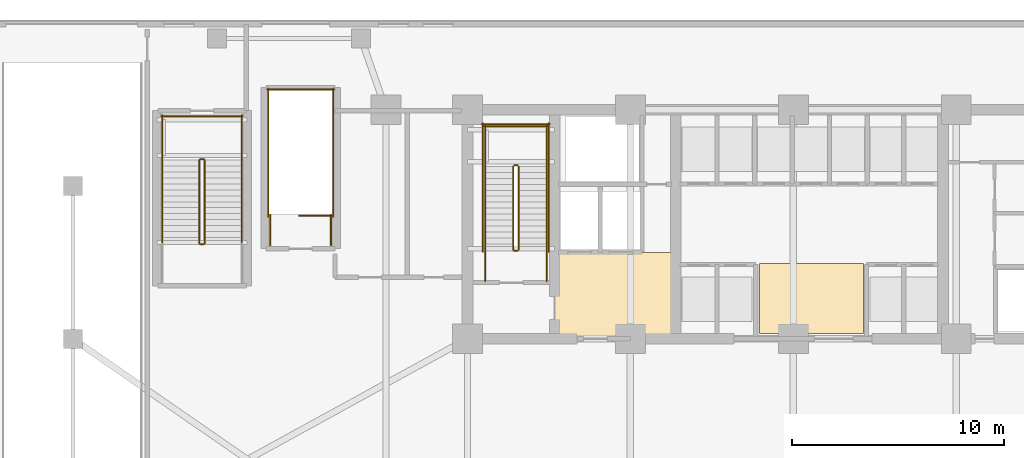
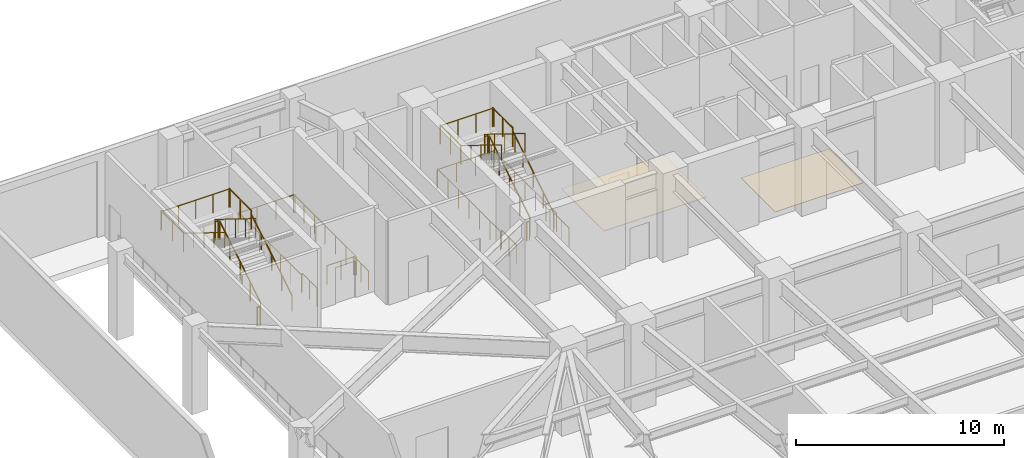
# One storey, part 9 of 15: 29 railings, 2 coverings.
"""IFC4 building model written with IfcOpenShell, lengths in metres."""

from ifc_helpers import new_model, si_unit, direction, frame, origin, origin_2d, place, context, subcontext, project, spatial, polyline, circle, outline, extrude, material, layer, layer_set, type_object, element, save


model = new_model("IFC4")

# Units and contexts
model_context = context("Model", 3, precision=1e-05, world=origin(), true_north=direction((0.0, 1.0)))
body_context = subcontext(model_context, "Body", "Model", "MODEL_VIEW")
ifc_project = project(units=[si_unit("LENGTHUNIT", "METRE"), si_unit("AREAUNIT", "SQUARE_METRE"), si_unit("VOLUMEUNIT", "CUBIC_METRE"), si_unit("PLANEANGLEUNIT", "RADIAN"), si_unit("MASSUNIT", "GRAM", prefix="KILO")], contexts=[model_context])

# Site, building, storey
site_placement = place(None, origin())
site = spatial("IfcSite", under=ifc_project, at=site_placement, CompositionType="ELEMENT")
building_placement = place(site_placement, origin())
building = spatial("IfcBuilding", under=site, at=building_placement, Name="Yelkora Congress Tower", CompositionType="ELEMENT")
storey_placement = place(building_placement, origin())
storey = spatial("IfcBuildingStorey", under=building, at=storey_placement, Name="L00", CompositionType="ELEMENT", Elevation=0.0)

# Coverings
ifc_material_1 = material(Name="Perforated mineral-fibre acoustic ceiling", Category="gypsum")
ifc_layer_1 = layer(ifc_material_1, 0.0400390625)
ifc_layer_set_1 = layer_set([ifc_layer_1], Name="Perforated mineral-fibre acoustic ceiling")
covering_type_1 = type_object("IfcCoveringType", Name="COV-CEIL-ACOUSTIC-40", PredefinedType="CEILING", material=ifc_layer_set_1)
covering_1_placement = place(storey_placement, frame((0.0, 0.0, 2.39990234375)))
element("IfcCovering", 1, at=covering_1_placement, inside=storey, type_object=covering_type_1, Name="L00 Firefighting Lobby Acoustic Ceiling", PredefinedType="CEILING", context=body_context, shape_type="SweptSolid", body=[
    extrude(outline(polyline([(27.14990234375, 35.39990234375), (32.85009765625, 35.39990234375), (32.85009765625, 39.47998046875), (27.14990234375, 39.47998046875), (27.14990234375, 35.39990234375)])), origin(), (0.0, 0.0, 1.0), 0.0400390625),
])
ifc_material_2 = material(Name="Polished Anatolian grey granite tile", Category="masonry")
ifc_layer_2 = layer(ifc_material_2, 0.02001953125)
ifc_layer_set_2 = layer_set([ifc_layer_2], Name="Polished Anatolian grey granite tile")
covering_type_2 = type_object("IfcCoveringType", Name="COV-FLOOR-GRANITE-20", PredefinedType="FLOORING", material=ifc_layer_set_2)
covering_2_placement = place(storey_placement, origin())
element("IfcCovering", 2, at=covering_2_placement, inside=storey, type_object=covering_type_2, Name="L00 Lift Lobby Granite Flooring", PredefinedType="FLOORING", context=body_context, shape_type="SweptSolid", body=[
    extrude(outline(polyline([(36.800048828125, 35.64990234375), (41.699951171875, 35.64990234375), (41.699951171875, 38.949951171875), (36.800048828125, 38.949951171875), (36.800048828125, 35.64990234375)])), origin(), (0.0, 0.0, 1.0), 0.02001953125),
])

# Railings
ifc_material_3 = material(Name="Painted galvanised steel stair well guard with vertical infill", Category="steel")
ifc_layer_3 = layer(ifc_material_3, 0.06005859375)
ifc_layer_set_3 = layer_set([ifc_layer_3], Name="Painted galvanised steel stair well guard with vertical infill")
railing_type_1 = type_object("IfcRailingType", Name="RAIL-STAIR-GUARD-1120", PredefinedType="GUARDRAIL", material=ifc_layer_set_3)
railing_1_placement = place(storey_placement, frame((25.449951171875, 39.60009765625, 0.17333984375)))
element("IfcRailing", 3, at=railing_1_placement, inside=storey, type_object=railing_type_1, Name="ST-01 L00 Stair Well Guardrail 1", PredefinedType="GUARDRAIL", context=body_context, shape_type="SweptSolid", body=[
    extrude(circle(Radius=0.02392578125, at=origin_2d()), frame((0.0, 0.0, 1.09619140625), z_axis=(0.0, 0.850251603719, 0.526376491091), x_axis=(-1.0, 0.0, 0.0)), (0.0, 0.0, 1.0), 4.6103515625),
    extrude(circle(Radius=0.02099609375, at=origin_2d()), origin(), (0.0, 0.0, 1.0), 1.072021484375),
    extrude(circle(Radius=0.02099609375, at=origin_2d()), frame((0.0, 0.97998046875, 0.606689453125)), (0.0, 0.0, 1.0), 1.072021484375),
    extrude(circle(Radius=0.02099609375, at=origin_2d()), frame((0.0, 1.9599609375, 1.21337890625)), (0.0, 0.0, 1.0), 1.072021484375),
    extrude(circle(Radius=0.02099609375, at=origin_2d()), frame((0.0, 2.93994140625, 1.820068359375)), (0.0, 0.0, 1.0), 1.072021484375),
    extrude(circle(Radius=0.02099609375, at=origin_2d()), frame((0.0, 3.919921875, 2.4267578125)), (0.0, 0.0, 1.0), 1.072021484375),
])
railing_2_placement = place(storey_placement, frame((25.39990234375, 43.570068359375, 2.60009765625)))
element("IfcRailing", 4, at=railing_2_placement, inside=storey, type_object=railing_type_1, Name="ST-01 L00 Stair Well Guardrail 2", PredefinedType="GUARDRAIL", context=body_context, shape_type="SweptSolid", body=[
    extrude(circle(Radius=0.02392578125, at=origin_2d()), frame((0.0, 0.0, 1.09619140625), z_axis=(-1.0, 0.0, 0.0), x_axis=(0.0, -1.0, 0.0)), (0.0, 0.0, 1.0), 0.159912109375),
    extrude(circle(Radius=0.02099609375, at=origin_2d()), origin(), (0.0, 0.0, 1.0), 1.072021484375),
    extrude(circle(Radius=0.02099609375, at=origin_2d()), frame((-0.159912109375, 0.0, 0.0)), (0.0, 0.0, 1.0), 1.072021484375),
])
for number, where, name in (
    (5, (26.77001953125, 43.52001953125, 2.60009765625), "ST-01 L00 Stair Well Guardrail 3"),
    (6, (23.8701171875, 43.52001953125, 2.60009765625), "ST-01 L00 Stair Well Guardrail 4"),
):
    element("IfcRailing", number, at=place(storey_placement, frame(where)), inside=storey, type_object=railing_type_1, Name=name, PredefinedType="GUARDRAIL", context=body_context, shape_type="SweptSolid", body=[
        extrude(circle(Radius=0.02392578125, at=origin_2d()), frame((0.0, 0.0, 1.09619140625), z_axis=(0.0, 1.0, 0.0), x_axis=(-1.0, 0.0, 0.0)), (0.0, 0.0, 1.0), 1.949951171875),
        extrude(circle(Radius=0.02099609375, at=origin_2d()), origin(), (0.0, 0.0, 1.0), 1.072021484375),
        extrude(circle(Radius=0.02099609375, at=origin_2d()), frame((0.0, 0.97509765625, 0.0)), (0.0, 0.0, 1.0), 1.072021484375),
        extrude(circle(Radius=0.02099609375, at=origin_2d()), frame((0.0, 1.949951171875, 0.0)), (0.0, 0.0, 1.0), 1.072021484375),
    ])
railing_3_placement = place(storey_placement, frame((26.820068359375, 45.419921875, 2.60009765625)))
element("IfcRailing", 7, at=railing_3_placement, inside=storey, type_object=railing_type_1, Name="ST-01 L00 Stair Well Guardrail 5", PredefinedType="GUARDRAIL", context=body_context, shape_type="SweptSolid", body=[
    extrude(circle(Radius=0.02392578125, at=origin_2d()), frame((0.0, 0.0, 1.09619140625), z_axis=(-1.0, 0.0, 0.0), x_axis=(0.0, -1.0, 0.0)), (0.0, 0.0, 1.0), 3.0),
    extrude(circle(Radius=0.02099609375, at=origin_2d()), origin(), (0.0, 0.0, 1.0), 1.072021484375),
    extrude(circle(Radius=0.02099609375, at=origin_2d()), frame((-1.0, 0.0, 0.0)), (0.0, 0.0, 1.0), 1.072021484375),
    extrude(circle(Radius=0.02099609375, at=origin_2d()), frame((-2.0, 0.0, 0.0)), (0.0, 0.0, 1.0), 1.072021484375),
    extrude(circle(Radius=0.02099609375, at=origin_2d()), frame((-3.0, 0.0, 0.0)), (0.0, 0.0, 1.0), 1.072021484375),
])
railing_4_placement = place(storey_placement, frame((25.18994140625, 43.52001953125, 2.7734375)))
element("IfcRailing", 8, at=railing_4_placement, inside=storey, type_object=railing_type_1, Name="ST-01 L00 Stair Well Guardrail 6", PredefinedType="GUARDRAIL", context=body_context, shape_type="SweptSolid", body=[
    extrude(circle(Radius=0.02392578125, at=origin_2d()), frame((0.0, 0.0, 1.09619140625), z_axis=(0.0, -0.850275303828, 0.526338206574), x_axis=(1.0, 0.0, 0.0)), (0.0, 0.0, 1.0), 4.610107421875),
    extrude(circle(Radius=0.02099609375, at=origin_2d()), origin(), (0.0, 0.0, 1.0), 1.072021484375),
    extrude(circle(Radius=0.02099609375, at=origin_2d()), frame((0.0, -0.97998046875, 0.606689453125)), (0.0, 0.0, 1.0), 1.072021484375),
    extrude(circle(Radius=0.02099609375, at=origin_2d()), frame((0.0, -1.9599609375, 1.21337890625)), (0.0, 0.0, 1.0), 1.072021484375),
    extrude(circle(Radius=0.02099609375, at=origin_2d()), frame((0.0, -2.93994140625, 1.81982421875)), (0.0, 0.0, 1.0), 1.072021484375),
    extrude(circle(Radius=0.02099609375, at=origin_2d()), frame((0.0, -3.919921875, 2.426513671875)), (0.0, 0.0, 1.0), 1.072021484375),
])
railing_5_placement = place(storey_placement, frame((25.39990234375, 39.550048828125, 0.0)))
element("IfcRailing", 9, at=railing_5_placement, inside=storey, type_object=railing_type_1, Name="ST-01 L00 Stair Well Guardrail 7", PredefinedType="GUARDRAIL", context=body_context, shape_type="SweptSolid", body=[
    extrude(circle(Radius=0.02392578125, at=origin_2d()), frame((0.0, 0.0, 1.09619140625), z_axis=(-1.0, 0.0, 0.0), x_axis=(0.0, -1.0, 0.0)), (0.0, 0.0, 1.0), 0.159912109375),
    extrude(circle(Radius=0.02099609375, at=origin_2d()), origin(), (0.0, 0.0, 1.0), 1.072021484375),
    extrude(circle(Radius=0.02099609375, at=origin_2d()), frame((-0.159912109375, 0.0, 0.0)), (0.0, 0.0, 1.0), 1.072021484375),
])
for number, where, name in (
    (10, (26.77001953125, 38.1201171875, 0.0), "ST-01 L00 Stair Well Guardrail 8"),
    (11, (23.8701171875, 38.1201171875, 0.0), "ST-01 L00 Stair Well Guardrail 9"),
):
    element("IfcRailing", number, at=place(storey_placement, frame(where)), inside=storey, type_object=railing_type_1, Name=name, PredefinedType="GUARDRAIL", context=body_context, shape_type="SweptSolid", body=[
        extrude(circle(Radius=0.02392578125, at=origin_2d()), frame((0.0, 0.0, 1.09619140625), z_axis=(0.0, 1.0, 0.0), x_axis=(-1.0, 0.0, 0.0)), (0.0, 0.0, 1.0), 1.47998046875),
        extrude(circle(Radius=0.02099609375, at=origin_2d()), origin(), (0.0, 0.0, 1.0), 1.072021484375),
        extrude(circle(Radius=0.02099609375, at=origin_2d()), frame((0.0, 0.739990234375, 0.0)), (0.0, 0.0, 1.0), 1.072021484375),
        extrude(circle(Radius=0.02099609375, at=origin_2d()), frame((0.0, 1.47998046875, 0.0)), (0.0, 0.0, 1.0), 1.072021484375),
    ])
for number, where, name in (
    (12, (26.8701171875, 39.5, 0.0), "ST-01 L00 Stair Well Guardrail 10"),
    (13, (23.77001953125, 39.5, 0.0), "ST-01 L00 Stair Well Guardrail 11"),
):
    element("IfcRailing", number, at=place(storey_placement, frame(where)), inside=storey, type_object=railing_type_1, Name=name, PredefinedType="GUARDRAIL", context=body_context, shape_type="SweptSolid", body=[
        extrude(circle(Radius=0.02392578125, at=origin_2d()), frame((0.0, 0.0, 1.09619140625), z_axis=(0.0, 1.0, 0.0), x_axis=(-1.0, 0.0, 0.0)), (0.0, 0.0, 1.0), 6.070068359375),
        extrude(circle(Radius=0.02099609375, at=origin_2d()), origin(), (0.0, 0.0, 1.0), 1.072021484375),
        extrude(circle(Radius=0.02099609375, at=origin_2d()), frame((0.0, 1.01171875, 0.0)), (0.0, 0.0, 1.0), 1.072021484375),
        extrude(circle(Radius=0.02099609375, at=origin_2d()), frame((0.0, 2.0234375, 0.0)), (0.0, 0.0, 1.0), 1.072021484375),
        extrude(circle(Radius=0.02099609375, at=origin_2d()), frame((0.0, 3.03515625, 0.0)), (0.0, 0.0, 1.0), 1.072021484375),
        extrude(circle(Radius=0.02099609375, at=origin_2d()), frame((0.0, 4.046630859375, 0.0)), (0.0, 0.0, 1.0), 1.072021484375),
        extrude(circle(Radius=0.02099609375, at=origin_2d()), frame((0.0, 5.058349609375, 0.0)), (0.0, 0.0, 1.0), 1.072021484375),
        extrude(circle(Radius=0.02099609375, at=origin_2d()), frame((0.0, 6.070068359375, 0.0)), (0.0, 0.0, 1.0), 1.072021484375),
    ])
railing_6_placement = place(storey_placement, frame((26.919921875, 45.52001953125, 0.0)))
element("IfcRailing", 14, at=railing_6_placement, inside=storey, type_object=railing_type_1, Name="ST-01 L00 Stair Well Guardrail 12", PredefinedType="GUARDRAIL", context=body_context, shape_type="SweptSolid", body=[
    extrude(circle(Radius=0.02392578125, at=origin_2d()), frame((0.0, 0.0, 1.09619140625), z_axis=(-1.0, 0.0, 0.0), x_axis=(0.0, -1.0, 0.0)), (0.0, 0.0, 1.0), 3.199951171875),
    extrude(circle(Radius=0.02099609375, at=origin_2d()), origin(), (0.0, 0.0, 1.0), 1.072021484375),
    extrude(circle(Radius=0.02099609375, at=origin_2d()), frame((-1.066650390625, 0.0, 0.0)), (0.0, 0.0, 1.0), 1.072021484375),
    extrude(circle(Radius=0.02099609375, at=origin_2d()), frame((-2.13330078125, 0.0, 0.0)), (0.0, 0.0, 1.0), 1.072021484375),
    extrude(circle(Radius=0.02099609375, at=origin_2d()), frame((-3.199951171875, 0.0, 0.0)), (0.0, 0.0, 1.0), 1.072021484375),
])
railing_7_placement = place(storey_placement, frame((10.659912109375, 39.89990234375, 0.17333984375)))
element("IfcRailing", 15, at=railing_7_placement, inside=storey, type_object=railing_type_1, Name="ST-P1 L00 Stair Well Guardrail 1", PredefinedType="GUARDRAIL", context=body_context, shape_type="SweptSolid", body=[
    extrude(circle(Radius=0.02392578125, at=origin_2d()), frame((0.0, 0.0, 1.09619140625), z_axis=(0.0, 0.850266275192, 0.526352791643), x_axis=(-1.0, 0.0, 0.0)), (0.0, 0.0, 1.0), 4.610595703125),
    extrude(circle(Radius=0.02099609375, at=origin_2d()), origin(), (0.0, 0.0, 1.0), 1.072021484375),
    extrude(circle(Radius=0.02099609375, at=origin_2d()), frame((0.0, 0.97998046875, 0.606689453125)), (0.0, 0.0, 1.0), 1.072021484375),
    extrude(circle(Radius=0.02099609375, at=origin_2d()), frame((0.0, 1.9599609375, 1.21337890625)), (0.0, 0.0, 1.0), 1.072021484375),
    extrude(circle(Radius=0.02099609375, at=origin_2d()), frame((0.0, 2.940185546875, 1.820068359375)), (0.0, 0.0, 1.0), 1.072021484375),
    extrude(circle(Radius=0.02099609375, at=origin_2d()), frame((0.0, 3.920166015625, 2.4267578125)), (0.0, 0.0, 1.0), 1.072021484375),
])
railing_8_placement = place(storey_placement, frame((10.610107421875, 43.8701171875, 2.60009765625)))
element("IfcRailing", 16, at=railing_8_placement, inside=storey, type_object=railing_type_1, Name="ST-P1 L00 Stair Well Guardrail 2", PredefinedType="GUARDRAIL", context=body_context, shape_type="SweptSolid", body=[
    extrude(circle(Radius=0.02392578125, at=origin_2d()), frame((0.0, 0.0, 1.09619140625), z_axis=(-1.0, 0.0, 0.0), x_axis=(0.0, -1.0, 0.0)), (0.0, 0.0, 1.0), 0.16015625),
    extrude(circle(Radius=0.02099609375, at=origin_2d()), origin(), (0.0, 0.0, 1.0), 1.072021484375),
    extrude(circle(Radius=0.02099609375, at=origin_2d()), frame((-0.16015625, 0.0, 0.0)), (0.0, 0.0, 1.0), 1.072021484375),
])
for number, where, name in (
    (17, (12.409912109375, 43.820068359375, 2.60009765625), "ST-P1 L00 Stair Well Guardrail 3"),
    (18, (8.64990234375, 43.820068359375, 2.60009765625), "ST-P1 L00 Stair Well Guardrail 4"),
):
    element("IfcRailing", number, at=place(storey_placement, frame(where)), inside=storey, type_object=railing_type_1, Name=name, PredefinedType="GUARDRAIL", context=body_context, shape_type="SweptSolid", body=[
        extrude(circle(Radius=0.02392578125, at=origin_2d()), frame((0.0, 0.0, 1.09619140625), z_axis=(0.0, 1.0, 0.0), x_axis=(-1.0, 0.0, 0.0)), (0.0, 0.0, 1.0), 2.1298828125),
        extrude(circle(Radius=0.02099609375, at=origin_2d()), origin(), (0.0, 0.0, 1.0), 1.072021484375),
        extrude(circle(Radius=0.02099609375, at=origin_2d()), frame((0.0, 1.06494140625, 0.0)), (0.0, 0.0, 1.0), 1.072021484375),
        extrude(circle(Radius=0.02099609375, at=origin_2d()), frame((0.0, 2.1298828125, 0.0)), (0.0, 0.0, 1.0), 1.072021484375),
    ])
railing_9_placement = place(storey_placement, frame((12.4599609375, 45.89990234375, 2.60009765625)))
element("IfcRailing", 19, at=railing_9_placement, inside=storey, type_object=railing_type_1, Name="ST-P1 L00 Stair Well Guardrail 5", PredefinedType="GUARDRAIL", context=body_context, shape_type="SweptSolid", body=[
    extrude(circle(Radius=0.02392578125, at=origin_2d()), frame((0.0, 0.0, 1.09619140625), z_axis=(-1.0, 0.0, 0.0), x_axis=(0.0, -1.0, 0.0)), (0.0, 0.0, 1.0), 3.85986328125),
    extrude(circle(Radius=0.02099609375, at=origin_2d()), origin(), (0.0, 0.0, 1.0), 1.072021484375),
    extrude(circle(Radius=0.02099609375, at=origin_2d()), frame((-0.96484375, 0.0, 0.0)), (0.0, 0.0, 1.0), 1.072021484375),
    extrude(circle(Radius=0.02099609375, at=origin_2d()), frame((-1.929931640625, 0.0, 0.0)), (0.0, 0.0, 1.0), 1.072021484375),
    extrude(circle(Radius=0.02099609375, at=origin_2d()), frame((-2.89501953125, 0.0, 0.0)), (0.0, 0.0, 1.0), 1.072021484375),
    extrude(circle(Radius=0.02099609375, at=origin_2d()), frame((-3.85986328125, 0.0, 0.0)), (0.0, 0.0, 1.0), 1.072021484375),
])
railing_10_placement = place(storey_placement, frame((10.39990234375, 43.820068359375, 2.7734375)))
element("IfcRailing", 20, at=railing_10_placement, inside=storey, type_object=railing_type_1, Name="ST-P1 L00 Stair Well Guardrail 6", PredefinedType="GUARDRAIL", context=body_context, shape_type="SweptSolid", body=[
    extrude(circle(Radius=0.02392578125, at=origin_2d()), frame((0.0, 0.0, 1.09619140625), z_axis=(0.0, -0.850289973577, 0.526314507528), x_axis=(1.0, 0.0, 0.0)), (0.0, 0.0, 1.0), 4.6103515625),
    extrude(circle(Radius=0.02099609375, at=origin_2d()), origin(), (0.0, 0.0, 1.0), 1.072021484375),
    extrude(circle(Radius=0.02099609375, at=origin_2d()), frame((0.0, -0.97998046875, 0.606689453125)), (0.0, 0.0, 1.0), 1.072021484375),
    extrude(circle(Radius=0.02099609375, at=origin_2d()), frame((0.0, -1.9599609375, 1.21337890625)), (0.0, 0.0, 1.0), 1.072021484375),
    extrude(circle(Radius=0.02099609375, at=origin_2d()), frame((0.0, -2.940185546875, 1.81982421875)), (0.0, 0.0, 1.0), 1.072021484375),
    extrude(circle(Radius=0.02099609375, at=origin_2d()), frame((0.0, -3.920166015625, 2.426513671875)), (0.0, 0.0, 1.0), 1.072021484375),
])
railing_11_placement = place(storey_placement, frame((10.610107421875, 39.85009765625, 0.0)))
element("IfcRailing", 21, at=railing_11_placement, inside=storey, type_object=railing_type_1, Name="ST-P1 L00 Stair Well Guardrail 7", PredefinedType="GUARDRAIL", context=body_context, shape_type="SweptSolid", body=[
    extrude(circle(Radius=0.02392578125, at=origin_2d()), frame((0.0, 0.0, 1.09619140625), z_axis=(-1.0, 0.0, 0.0), x_axis=(0.0, -1.0, 0.0)), (0.0, 0.0, 1.0), 0.16015625),
    extrude(circle(Radius=0.02099609375, at=origin_2d()), origin(), (0.0, 0.0, 1.0), 1.072021484375),
    extrude(circle(Radius=0.02099609375, at=origin_2d()), frame((-0.16015625, 0.0, 0.0)), (0.0, 0.0, 1.0), 1.072021484375),
])
railing_12_placement = place(storey_placement, frame((16.659912109375, 41.199951171875, 0.0)))
element("IfcRailing", 22, at=railing_12_placement, inside=storey, type_object=railing_type_1, Name="ST-B1 L00 Top Stair-Well Guardrail 1", PredefinedType="GUARDRAIL", context=body_context, shape_type="SweptSolid", body=[
    extrude(circle(Radius=0.02392578125, at=origin_2d()), frame((0.0, 0.0, 1.09619140625), z_axis=(-1.0, 0.0, 0.0), x_axis=(0.0, -1.0, 0.0)), (0.0, 0.0, 1.0), 1.559814453125),
    extrude(circle(Radius=0.02099609375, at=origin_2d()), origin(), (0.0, 0.0, 1.0), 1.072021484375),
    extrude(circle(Radius=0.02099609375, at=origin_2d()), frame((-0.77978515625, 0.0, 0.0)), (0.0, 0.0, 1.0), 1.072021484375),
    extrude(circle(Radius=0.02099609375, at=origin_2d()), frame((-1.559814453125, 0.0, 0.0)), (0.0, 0.0, 1.0), 1.072021484375),
])
for number, where, name in (
    (23, (16.7099609375, 41.14990234375, 0.0), "ST-B1 L00 Top Stair-Well Guardrail 2"),
    (24, (13.64990234375, 41.14990234375, 0.0), "ST-B1 L00 Top Stair-Well Guardrail 3"),
):
    element("IfcRailing", number, at=place(storey_placement, frame(where)), inside=storey, type_object=railing_type_1, Name=name, PredefinedType="GUARDRAIL", context=body_context, shape_type="SweptSolid", body=[
        extrude(circle(Radius=0.02392578125, at=origin_2d()), frame((0.0, 0.0, 1.09619140625), z_axis=(0.0, 1.0, 0.0), x_axis=(-1.0, 0.0, 0.0)), (0.0, 0.0, 1.0), 6.050048828125),
        extrude(circle(Radius=0.02099609375, at=origin_2d()), origin(), (0.0, 0.0, 1.0), 1.072021484375),
        extrude(circle(Radius=0.02099609375, at=origin_2d()), frame((0.0, 1.00830078125, 0.0)), (0.0, 0.0, 1.0), 1.072021484375),
        extrude(circle(Radius=0.02099609375, at=origin_2d()), frame((0.0, 2.0166015625, 0.0)), (0.0, 0.0, 1.0), 1.072021484375),
        extrude(circle(Radius=0.02099609375, at=origin_2d()), frame((0.0, 3.02490234375, 0.0)), (0.0, 0.0, 1.0), 1.072021484375),
        extrude(circle(Radius=0.02099609375, at=origin_2d()), frame((0.0, 4.033447265625, 0.0)), (0.0, 0.0, 1.0), 1.072021484375),
        extrude(circle(Radius=0.02099609375, at=origin_2d()), frame((0.0, 5.041748046875, 0.0)), (0.0, 0.0, 1.0), 1.072021484375),
        extrude(circle(Radius=0.02099609375, at=origin_2d()), frame((0.0, 6.050048828125, 0.0)), (0.0, 0.0, 1.0), 1.072021484375),
    ])
railing_13_placement = place(storey_placement, frame((16.760009765625, 47.14990234375, 0.0)))
element("IfcRailing", 25, at=railing_13_placement, inside=storey, type_object=railing_type_1, Name="ST-B1 L00 Top Stair-Well Guardrail 4", PredefinedType="GUARDRAIL", context=body_context, shape_type="SweptSolid", body=[
    extrude(circle(Radius=0.02392578125, at=origin_2d()), frame((0.0, 0.0, 1.09619140625), z_axis=(-1.0, 0.0, 0.0), x_axis=(0.0, -1.0, 0.0)), (0.0, 0.0, 1.0), 3.159912109375),
    extrude(circle(Radius=0.02099609375, at=origin_2d()), origin(), (0.0, 0.0, 1.0), 1.072021484375),
    extrude(circle(Radius=0.02099609375, at=origin_2d()), frame((-1.05322265625, 0.0, 0.0)), (0.0, 0.0, 1.0), 1.072021484375),
    extrude(circle(Radius=0.02099609375, at=origin_2d()), frame((-2.106689453125, 0.0, 0.0)), (0.0, 0.0, 1.0), 1.072021484375),
    extrude(circle(Radius=0.02099609375, at=origin_2d()), frame((-3.159912109375, 0.0, 0.0)), (0.0, 0.0, 1.0), 1.072021484375),
])
for number, where, name in (
    (26, (16.610107421875, 39.800048828125, 0.0), "ST-B1 L00 Top Stair-Well Guardrail 5"),
    (27, (13.75, 39.800048828125, 0.0), "ST-B1 L00 Top Stair-Well Guardrail 6"),
):
    element("IfcRailing", number, at=place(storey_placement, frame(where)), inside=storey, type_object=railing_type_1, Name=name, PredefinedType="GUARDRAIL", context=body_context, shape_type="SweptSolid", body=[
        extrude(circle(Radius=0.02392578125, at=origin_2d()), frame((0.0, 0.0, 1.09619140625), z_axis=(0.0, 1.0, 0.0), x_axis=(-1.0, 0.0, 0.0)), (0.0, 0.0, 1.0), 1.449951171875),
        extrude(circle(Radius=0.02099609375, at=origin_2d()), origin(), (0.0, 0.0, 1.0), 1.072021484375),
        extrude(circle(Radius=0.02099609375, at=origin_2d()), frame((0.0, 0.72509765625, 0.0)), (0.0, 0.0, 1.0), 1.072021484375),
        extrude(circle(Radius=0.02099609375, at=origin_2d()), frame((0.0, 1.449951171875, 0.0)), (0.0, 0.0, 1.0), 1.072021484375),
    ])
ifc_material_4 = material(Name="Brushed stainless steel tubular handrail", Category="steel")
ifc_layer_4 = layer(ifc_material_4, 0.050048828125)
ifc_layer_set_4 = layer_set([ifc_layer_4], Name="Brushed stainless steel tubular handrail")
railing_type_2 = type_object("IfcRailingType", Name="RAIL-STAIR-HAND-920", PredefinedType="HANDRAIL", material=ifc_layer_set_4)
railing_14_placement = place(storey_placement, frame((26.77001953125, 39.60009765625, 0.17333984375)))
element("IfcRailing", 28, at=railing_14_placement, inside=storey, type_object=railing_type_2, Name="ST-01 L00 Pitch Handrail 1", PredefinedType="HANDRAIL", context=body_context, shape_type="SweptSolid", body=[
    extrude(circle(Radius=0.02392578125, at=origin_2d()), frame((0.0, 0.0, 0.89599609375), z_axis=(0.0, 0.850251603719, 0.526376491091), x_axis=(-1.0, 0.0, 0.0)), (0.0, 0.0, 1.0), 4.6103515625),
    extrude(circle(Radius=0.02099609375, at=origin_2d()), origin(), (0.0, 0.0, 1.0), 0.871826171875),
    extrude(circle(Radius=0.02099609375, at=origin_2d()), frame((0.0, 0.97998046875, 0.606689453125)), (0.0, 0.0, 1.0), 0.871826171875),
    extrude(circle(Radius=0.02099609375, at=origin_2d()), frame((0.0, 1.9599609375, 1.21337890625)), (0.0, 0.0, 1.0), 0.871826171875),
    extrude(circle(Radius=0.02099609375, at=origin_2d()), frame((0.0, 2.93994140625, 1.820068359375)), (0.0, 0.0, 1.0), 0.871826171875),
    extrude(circle(Radius=0.02099609375, at=origin_2d()), frame((0.0, 3.919921875, 2.4267578125)), (0.0, 0.0, 1.0), 0.871826171875),
])
railing_15_placement = place(storey_placement, frame((23.8701171875, 43.52001953125, 2.7734375)))
element("IfcRailing", 29, at=railing_15_placement, inside=storey, type_object=railing_type_2, Name="ST-01 L00 Pitch Handrail 2", PredefinedType="HANDRAIL", context=body_context, shape_type="SweptSolid", body=[
    extrude(circle(Radius=0.02392578125, at=origin_2d()), frame((0.0, 0.0, 0.89599609375), z_axis=(0.0, -0.850275303828, 0.526338206574), x_axis=(1.0, 0.0, 0.0)), (0.0, 0.0, 1.0), 4.610107421875),
    extrude(circle(Radius=0.02099609375, at=origin_2d()), origin(), (0.0, 0.0, 1.0), 0.871826171875),
    extrude(circle(Radius=0.02099609375, at=origin_2d()), frame((0.0, -0.97998046875, 0.606689453125)), (0.0, 0.0, 1.0), 0.871826171875),
    extrude(circle(Radius=0.02099609375, at=origin_2d()), frame((0.0, -1.9599609375, 1.21337890625)), (0.0, 0.0, 1.0), 0.871826171875),
    extrude(circle(Radius=0.02099609375, at=origin_2d()), frame((0.0, -2.93994140625, 1.81982421875)), (0.0, 0.0, 1.0), 0.871826171875),
    extrude(circle(Radius=0.02099609375, at=origin_2d()), frame((0.0, -3.919921875, 2.426513671875)), (0.0, 0.0, 1.0), 0.871826171875),
])
railing_16_placement = place(storey_placement, frame((12.409912109375, 39.89990234375, 0.17333984375)))
element("IfcRailing", 30, at=railing_16_placement, inside=storey, type_object=railing_type_2, Name="ST-P1 L00 Pitch Handrail 1", PredefinedType="HANDRAIL", context=body_context, shape_type="SweptSolid", body=[
    extrude(circle(Radius=0.02392578125, at=origin_2d()), frame((0.0, 0.0, 0.89599609375), z_axis=(0.0, 0.850266275192, 0.526352791643), x_axis=(-1.0, 0.0, 0.0)), (0.0, 0.0, 1.0), 4.610595703125),
    extrude(circle(Radius=0.02099609375, at=origin_2d()), origin(), (0.0, 0.0, 1.0), 0.871826171875),
    extrude(circle(Radius=0.02099609375, at=origin_2d()), frame((0.0, 0.97998046875, 0.606689453125)), (0.0, 0.0, 1.0), 0.871826171875),
    extrude(circle(Radius=0.02099609375, at=origin_2d()), frame((0.0, 1.9599609375, 1.21337890625)), (0.0, 0.0, 1.0), 0.871826171875),
    extrude(circle(Radius=0.02099609375, at=origin_2d()), frame((0.0, 2.940185546875, 1.820068359375)), (0.0, 0.0, 1.0), 0.871826171875),
    extrude(circle(Radius=0.02099609375, at=origin_2d()), frame((0.0, 3.920166015625, 2.4267578125)), (0.0, 0.0, 1.0), 0.871826171875),
])
railing_17_placement = place(storey_placement, frame((8.64990234375, 43.820068359375, 2.7734375)))
element("IfcRailing", 31, at=railing_17_placement, inside=storey, type_object=railing_type_2, Name="ST-P1 L00 Pitch Handrail 2", PredefinedType="HANDRAIL", context=body_context, shape_type="SweptSolid", body=[
    extrude(circle(Radius=0.02392578125, at=origin_2d()), frame((0.0, 0.0, 0.89599609375), z_axis=(0.0, -0.850289973577, 0.526314507528), x_axis=(1.0, 0.0, 0.0)), (0.0, 0.0, 1.0), 4.6103515625),
    extrude(circle(Radius=0.02099609375, at=origin_2d()), origin(), (0.0, 0.0, 1.0), 0.871826171875),
    extrude(circle(Radius=0.02099609375, at=origin_2d()), frame((0.0, -0.97998046875, 0.606689453125)), (0.0, 0.0, 1.0), 0.871826171875),
    extrude(circle(Radius=0.02099609375, at=origin_2d()), frame((0.0, -1.9599609375, 1.21337890625)), (0.0, 0.0, 1.0), 0.871826171875),
    extrude(circle(Radius=0.02099609375, at=origin_2d()), frame((0.0, -2.940185546875, 1.81982421875)), (0.0, 0.0, 1.0), 0.871826171875),
    extrude(circle(Radius=0.02099609375, at=origin_2d()), frame((0.0, -3.920166015625, 2.426513671875)), (0.0, 0.0, 1.0), 0.871826171875),
])

save(model, "model.ifc")
